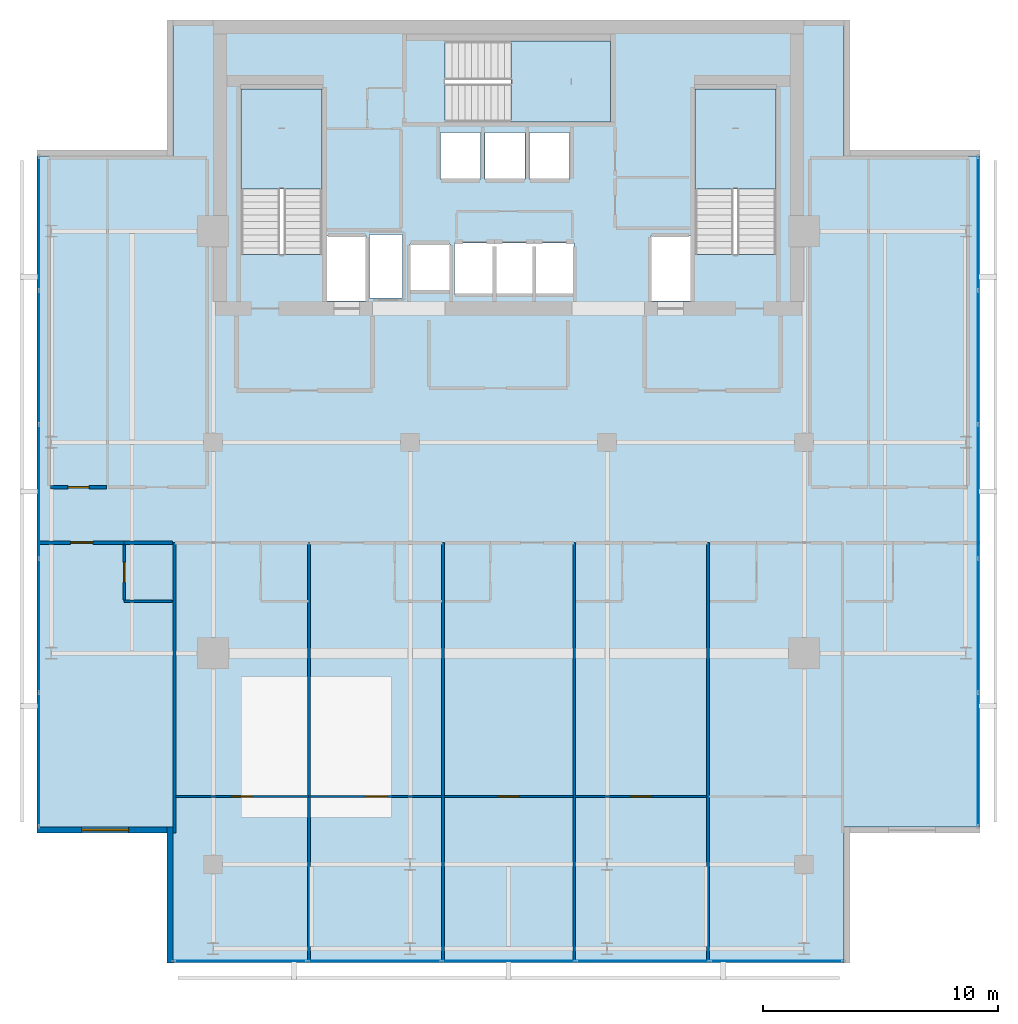
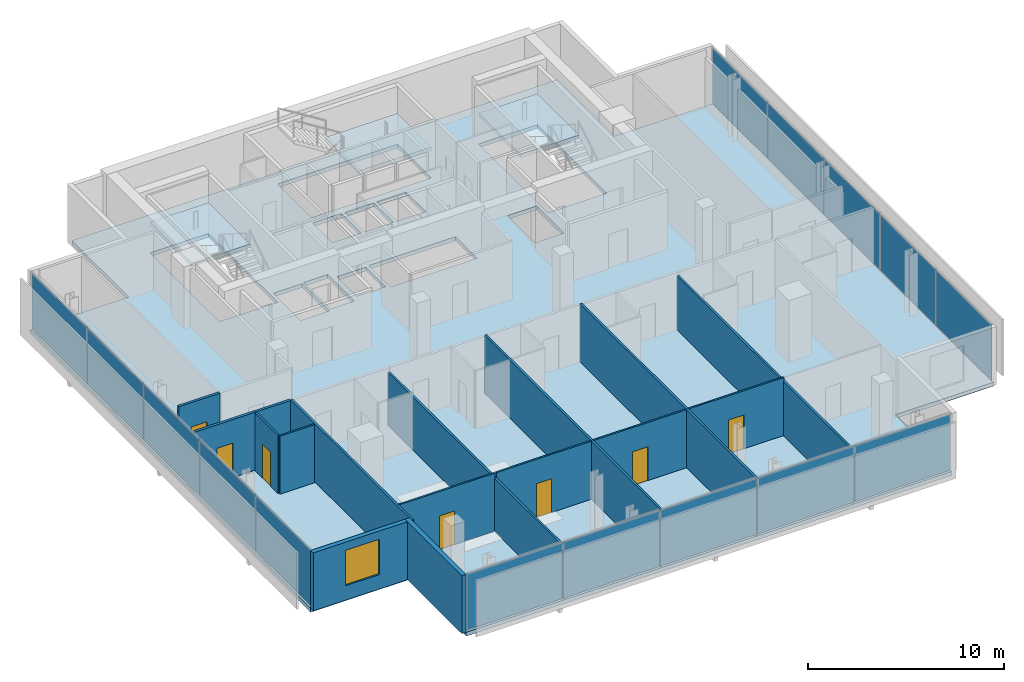
# One storey, part 16 of 24: 16 walls, 15 plates, 7 doors, 4 slabs, 1 window, 8 openings, 6 elements without a shape of their own.
"""IFC4 building model written with IfcOpenShell, lengths in metres."""

from ifc_helpers import new_model, si_unit, direction, frame, frame_2d, origin, origin_2d, place, context, subcontext, project, spatial, polyline, rectangle, outline, extrude, material, layer, layer_set, type_object, element, fill, aggregate, save


model = new_model("IFC4")

# Units and contexts
model_context = context("Model", 3, precision=1e-05, world=origin(), true_north=direction((0.0, 1.0)))
body_context = subcontext(model_context, "Body", "Model", "MODEL_VIEW")
ifc_project = project(units=[si_unit("LENGTHUNIT", "METRE"), si_unit("AREAUNIT", "SQUARE_METRE"), si_unit("VOLUMEUNIT", "CUBIC_METRE"), si_unit("PLANEANGLEUNIT", "RADIAN"), si_unit("MASSUNIT", "GRAM", prefix="KILO")], contexts=[model_context])

# Site, building, storey
site_placement = place(None, origin())
site = spatial("IfcSite", under=ifc_project, at=site_placement, CompositionType="ELEMENT")
building_placement = place(site_placement, origin())
building = spatial("IfcBuilding", under=site, at=building_placement, Name="Maruvema Waterfront Hotel and Observation Tower", CompositionType="ELEMENT")
storey_placement = place(building_placement, frame((0.0, 0.0, 329.699951171875)))
storey = spatial("IfcBuildingStorey", under=building, at=storey_placement, Name="L81", CompositionType="ELEMENT", Elevation=329.699951171875)

# Slab
ifc_material_1 = material(Name="Concrete C50/60", Category="concrete")
ifc_layer_1 = layer(ifc_material_1, 0.239990234375, Name="Reinforced Concrete Floor Slab 240 mm")
ifc_layer_set_1 = layer_set([ifc_layer_1], Name="Concrete C50/60")
slab_type_1 = type_object("IfcSlabType", Name="Reinforced Concrete Floor Slab 240 mm", PredefinedType="FLOOR", material=ifc_layer_set_1)
slab_1_placement = place(storey_placement, frame((0.0, 0.0, -0.239990234375)))
element("IfcSlab", 1, at=slab_1_placement, inside=storey, type_object=slab_type_1, Name="L81 Structural Floor Slab", PredefinedType="FLOOR", context=body_context, shape_type="SweptSolid", body=[
    extrude(outline(polyline([(23.5, 13.800048828125), (52.10009765625, 13.800048828125), (52.10009765625, 19.60009765625), (57.89990234375, 19.60009765625), (57.89990234375, 48.199951171875), (52.10009765625, 48.199951171875), (52.10009765625, 54.0), (23.5, 54.0), (23.5, 48.199951171875), (17.699951171875, 48.199951171875), (17.699951171875, 19.60009765625), (23.5, 19.60009765625), (23.5, 13.800048828125)]), holes=[polyline([(26.39990234375, 44.00048828125), (26.39990234375, 51.050048828125), (29.85009765625, 51.050048828125), (29.85009765625, 44.00048828125), (26.39990234375, 44.00048828125)]), polyline([(30.050048828125, 44.800048828125), (31.75, 44.800048828125), (31.75, 42.02001953125), (30.050048828125, 42.02001953125), (30.050048828125, 44.800048828125)]), polyline([(31.8798828125, 42.139892578125), (31.8798828125, 44.860107421875), (33.280029296875, 44.860107421875), (33.280029296875, 42.139892578125), (31.8798828125, 42.139892578125)]), polyline([(33.60009765625, 44.449951171875), (35.300048828125, 44.449951171875), (35.300048828125, 42.449951171875), (33.60009765625, 42.449951171875), (33.60009765625, 44.449951171875)]), polyline([(34.89990234375, 49.199951171875), (36.60009765625, 49.199951171875), (36.60009765625, 47.199951171875), (34.89990234375, 47.199951171875), (34.89990234375, 49.199951171875)]), polyline([(36.800048828125, 47.199951171875), (36.800048828125, 49.199951171875), (38.5, 49.199951171875), (38.5, 47.199951171875), (36.800048828125, 47.199951171875)]), polyline([(35.5, 42.300048828125), (35.5, 44.5), (40.60009765625, 44.5), (40.60009765625, 42.300048828125), (35.5, 42.300048828125)]), polyline([(35.1005859375, 53.10009765625), (42.14990234375, 53.10009765625), (42.14990234375, 49.64990234375), (35.1005859375, 49.64990234375), (35.1005859375, 53.10009765625)]), polyline([(38.699951171875, 49.199951171875), (40.39990234375, 49.199951171875), (40.39990234375, 47.199951171875), (38.699951171875, 47.199951171875), (38.699951171875, 49.199951171875)]), polyline([(43.85009765625, 44.800048828125), (45.550048828125, 44.800048828125), (45.550048828125, 42.02001953125), (43.85009765625, 42.02001953125), (43.85009765625, 44.800048828125)]), polyline([(45.75, 44.00048828125), (45.75, 51.050048828125), (49.199951171875, 51.050048828125), (49.199951171875, 44.00048828125), (45.75, 44.00048828125)])]), origin(), (0.0, 0.0, 1.0), 0.239990234375),
])

# Curtain wall, plates
ifc_material_2 = material(Name="Anodised bronze aluminium and solar-control low-E IGU", Category="aluminium")
ifc_layer_2 = layer(ifc_material_2, 0.159912109375, Name="Zone 4 Sky Residence Inner Curtain Wall System CW-05")
ifc_layer_set_2 = layer_set([ifc_layer_2], Name="Anodised bronze aluminium and solar-control low-E IGU")
curtain_wall_type = type_object("IfcCurtainWallType", Name="Zone 4 Sky Residence Inner Curtain Wall System CW-05", PredefinedType="USERDEFINED", material=ifc_layer_set_2)
curtain_wall_1_placement = place(storey_placement, origin())
curtain_wall_1 = element("IfcCurtainWall", 2, at=curtain_wall_1_placement, inside=storey, type_object=curtain_wall_type, Name="L81 Curtain Wall CW-L81-S", ObjectType="UNITISED CURTAIN WALL", PredefinedType="USERDEFINED")
ifc_material_3 = material(Name="Laminated low-E solar-control double glazing", Category="glass")
ifc_layer_3 = layer(ifc_material_3, 0.035888671875, Name="Solar Control Double-Glazed Curtain Panel 36 mm")
ifc_layer_set_3 = layer_set([ifc_layer_3], Name="Laminated low-E solar-control double glazing")
plate_type = type_object("IfcPlateType", Name="Solar Control Double-Glazed Curtain Panel 36 mm", PredefinedType="CURTAIN_PANEL", material=ifc_layer_set_3)
plate_1_placement = place(storey_placement, frame((26.375, 13.8798828125, 0.06005859375), z_axis=(0.0, 0.0, 1.0), x_axis=(1.0, 0.0, 0.0)))
plate_1 = element("IfcPlate", 3, at=plate_1_placement, type_object=plate_type, Name="CW-05 panel 1.1", PredefinedType="CURTAIN_PANEL", context=body_context, shape_type="SweptSolid", body=[
    extrude(rectangle(XDim=5.6298828125, YDim=0.028076171875, at=origin_2d()), origin(), (0.0, 0.0, 1.0), 3.489990234375),
])
plate_2_placement = place(storey_placement, frame((32.080078125, 13.8798828125, 0.06005859375), z_axis=(0.0, 0.0, 1.0), x_axis=(1.0, 0.0, 0.0)))
plate_2 = element("IfcPlate", 4, at=plate_2_placement, type_object=plate_type, Name="CW-05 panel 2.1", PredefinedType="CURTAIN_PANEL", context=body_context, shape_type="SweptSolid", body=[
    extrude(rectangle(XDim=5.659912109375, YDim=0.028076171875, at=origin_2d()), origin(), (0.0, 0.0, 1.0), 3.489990234375),
])
plate_3_placement = place(storey_placement, frame((37.800048828125, 13.8798828125, 0.06005859375), z_axis=(0.0, 0.0, 1.0), x_axis=(1.0, 0.0, 0.0)))
plate_3 = element("IfcPlate", 5, at=plate_3_placement, type_object=plate_type, Name="CW-05 panel 3.1", PredefinedType="CURTAIN_PANEL", context=body_context, shape_type="SweptSolid", body=[
    extrude(rectangle(XDim=5.659912109375, YDim=0.028076171875, at=origin_2d()), origin(), (0.0, 0.0, 1.0), 3.489990234375),
])
plate_4_placement = place(storey_placement, frame((43.52001953125, 13.8798828125, 0.06005859375), z_axis=(0.0, 0.0, 1.0), x_axis=(1.0, 0.0, 0.0)))
plate_4 = element("IfcPlate", 6, at=plate_4_placement, type_object=plate_type, Name="CW-05 panel 4.1", PredefinedType="CURTAIN_PANEL", context=body_context, shape_type="SweptSolid", body=[
    extrude(rectangle(XDim=5.659912109375, YDim=0.028076171875, at=origin_2d()), origin(), (0.0, 0.0, 1.0), 3.489990234375),
])
plate_5_placement = place(storey_placement, frame((49.22509765625, 13.8798828125, 0.06005859375), z_axis=(0.0, 0.0, 1.0), x_axis=(1.0, 0.0, 0.0)))
plate_5 = element("IfcPlate", 7, at=plate_5_placement, type_object=plate_type, Name="CW-05 panel 5.1", PredefinedType="CURTAIN_PANEL", context=body_context, shape_type="SweptSolid", body=[
    extrude(rectangle(XDim=5.6298828125, YDim=0.028076171875, at=origin_2d()), origin(), (0.0, 0.0, 1.0), 3.489990234375),
])
aggregate(curtain_wall_1, [plate_1, plate_2, plate_3, plate_4, plate_5])

curtain_wall_2_placement = place(storey_placement, origin())
curtain_wall_2 = element("IfcCurtainWall", 8, at=curtain_wall_2_placement, inside=storey, type_object=curtain_wall_type, Name="L81 Curtain Wall CW-L81-E", ObjectType="UNITISED CURTAIN WALL", PredefinedType="USERDEFINED")
plate_6_placement = place(storey_placement, frame((57.820068359375, 22.47509765625, 0.06005859375), z_axis=(0.0, 0.0, 1.0), x_axis=(0.0, 1.0, 0.0)))
plate_6 = element("IfcPlate", 9, at=plate_6_placement, type_object=plate_type, Name="CW-05 panel 1.1", PredefinedType="CURTAIN_PANEL", context=body_context, shape_type="SweptSolid", body=[
    extrude(rectangle(XDim=5.6298828125, YDim=0.028076171875, at=origin_2d()), origin(), (0.0, 0.0, 1.0), 3.489990234375),
])
plate_7_placement = place(storey_placement, frame((57.820068359375, 28.179931640625, 0.06005859375), z_axis=(0.0, 0.0, 1.0), x_axis=(0.0, 1.0, 0.0)))
plate_7 = element("IfcPlate", 10, at=plate_7_placement, type_object=plate_type, Name="CW-05 panel 2.1", PredefinedType="CURTAIN_PANEL", context=body_context, shape_type="SweptSolid", body=[
    extrude(rectangle(XDim=5.659912109375, YDim=0.028076171875, at=origin_2d()), origin(), (0.0, 0.0, 1.0), 3.489990234375),
])
plate_8_placement = place(storey_placement, frame((57.820068359375, 33.89990234375, 0.06005859375), z_axis=(0.0, 0.0, 1.0), x_axis=(0.0, 1.0, 0.0)))
plate_8 = element("IfcPlate", 11, at=plate_8_placement, type_object=plate_type, Name="CW-05 panel 3.1", PredefinedType="CURTAIN_PANEL", context=body_context, shape_type="SweptSolid", body=[
    extrude(rectangle(XDim=5.659912109375, YDim=0.028076171875, at=origin_2d()), origin(), (0.0, 0.0, 1.0), 3.489990234375),
])
plate_9_placement = place(storey_placement, frame((57.820068359375, 39.6201171875, 0.06005859375), z_axis=(0.0, 0.0, 1.0), x_axis=(0.0, 1.0, 0.0)))
plate_9 = element("IfcPlate", 12, at=plate_9_placement, type_object=plate_type, Name="CW-05 panel 4.1", PredefinedType="CURTAIN_PANEL", context=body_context, shape_type="SweptSolid", body=[
    extrude(rectangle(XDim=5.659912109375, YDim=0.028076171875, at=origin_2d()), origin(), (0.0, 0.0, 1.0), 3.489990234375),
])
plate_10_placement = place(storey_placement, frame((57.820068359375, 45.324951171875, 0.06005859375), z_axis=(0.0, 0.0, 1.0), x_axis=(0.0, 1.0, 0.0)))
plate_10 = element("IfcPlate", 13, at=plate_10_placement, type_object=plate_type, Name="CW-05 panel 5.1", PredefinedType="CURTAIN_PANEL", context=body_context, shape_type="SweptSolid", body=[
    extrude(rectangle(XDim=5.6298828125, YDim=0.028076171875, at=origin_2d()), origin(), (0.0, 0.0, 1.0), 3.489990234375),
])
aggregate(curtain_wall_2, [plate_6, plate_7, plate_8, plate_9, plate_10])

curtain_wall_3_placement = place(storey_placement, origin())
curtain_wall_3 = element("IfcCurtainWall", 14, at=curtain_wall_3_placement, inside=storey, type_object=curtain_wall_type, Name="L81 Curtain Wall CW-L81-W", ObjectType="UNITISED CURTAIN WALL", PredefinedType="USERDEFINED")
plate_11_placement = place(storey_placement, frame((17.780029296875, 45.324951171875, 0.06005859375), z_axis=(0.0, 0.0, 1.0), x_axis=(0.0, -1.0, 0.0)))
plate_11 = element("IfcPlate", 15, at=plate_11_placement, type_object=plate_type, Name="CW-05 panel 1.1", PredefinedType="CURTAIN_PANEL", context=body_context, shape_type="SweptSolid", body=[
    extrude(rectangle(XDim=5.6298828125, YDim=0.028076171875, at=origin_2d()), origin(), (0.0, 0.0, 1.0), 3.489990234375),
])
plate_12_placement = place(storey_placement, frame((17.780029296875, 39.6201171875, 0.06005859375), z_axis=(0.0, 0.0, 1.0), x_axis=(0.0, -1.0, 0.0)))
plate_12 = element("IfcPlate", 16, at=plate_12_placement, type_object=plate_type, Name="CW-05 panel 2.1", PredefinedType="CURTAIN_PANEL", context=body_context, shape_type="SweptSolid", body=[
    extrude(rectangle(XDim=5.659912109375, YDim=0.028076171875, at=origin_2d()), origin(), (0.0, 0.0, 1.0), 3.489990234375),
])
plate_13_placement = place(storey_placement, frame((17.780029296875, 33.89990234375, 0.06005859375), z_axis=(0.0, 0.0, 1.0), x_axis=(0.0, -1.0, 0.0)))
plate_13 = element("IfcPlate", 17, at=plate_13_placement, type_object=plate_type, Name="CW-05 panel 3.1", PredefinedType="CURTAIN_PANEL", context=body_context, shape_type="SweptSolid", body=[
    extrude(rectangle(XDim=5.659912109375, YDim=0.028076171875, at=origin_2d()), origin(), (0.0, 0.0, 1.0), 3.489990234375),
])
plate_14_placement = place(storey_placement, frame((17.780029296875, 28.179931640625, 0.06005859375), z_axis=(0.0, 0.0, 1.0), x_axis=(0.0, -1.0, 0.0)))
plate_14 = element("IfcPlate", 18, at=plate_14_placement, type_object=plate_type, Name="CW-05 panel 4.1", PredefinedType="CURTAIN_PANEL", context=body_context, shape_type="SweptSolid", body=[
    extrude(rectangle(XDim=5.659912109375, YDim=0.028076171875, at=origin_2d()), origin(), (0.0, 0.0, 1.0), 3.489990234375),
])
plate_15_placement = place(storey_placement, frame((17.780029296875, 22.47509765625, 0.06005859375), z_axis=(0.0, 0.0, 1.0), x_axis=(0.0, -1.0, 0.0)))
plate_15 = element("IfcPlate", 19, at=plate_15_placement, type_object=plate_type, Name="CW-05 panel 5.1", PredefinedType="CURTAIN_PANEL", context=body_context, shape_type="SweptSolid", body=[
    extrude(rectangle(XDim=5.6298828125, YDim=0.028076171875, at=origin_2d()), origin(), (0.0, 0.0, 1.0), 3.489990234375),
])
aggregate(curtain_wall_3, [plate_11, plate_12, plate_13, plate_14, plate_15])

# Stair, slab
ifc_material_4 = material(Name="Concrete C50/60", Category="concrete")
stair_type = type_object("IfcStairType", Name="Dogleg Exit Stair 1650 mm (22R x 175.0 mm)", PredefinedType="HALF_TURN_STAIR", material=ifc_material_4)
stair_1_placement = place(storey_placement, origin())
stair_1 = element("IfcStair", 20, at=stair_1_placement, inside=storey, type_object=stair_type, Name="L81 ST-01", PredefinedType="HALF_TURN_STAIR")
ifc_material_5 = material(Name="Concrete C50/60", Category="concrete")
ifc_layer_4 = layer(ifc_material_5, 0.219970703125, Name="Stair Concrete Landing Slab 220 mm")
ifc_layer_set_4 = layer_set([ifc_layer_4], Name="Concrete C50/60")
slab_type_2 = type_object("IfcSlabType", Name="Stair Concrete Landing Slab 220 mm", PredefinedType="LANDING", material=ifc_layer_set_4)
slab_2_placement = place(storey_placement, frame((0.0, 0.0, 1.705078125)))
slab_2 = element("IfcSlab", 21, at=slab_2_placement, type_object=slab_type_2, Name="ST-01 landing 1", PredefinedType="LANDING", context=body_context, shape_type="SweptSolid", body=[
    extrude(outline(polyline([(29.85009765625, 46.800048828125), (29.85009765625, 51.050048828125), (26.39990234375, 51.050048828125), (26.39990234375, 46.800048828125), (29.85009765625, 46.800048828125)])), origin(), (0.0, 0.0, 1.0), 0.219970703125),
])
aggregate(stair_1, [slab_2])

stair_2_placement = place(storey_placement, origin())
stair_2 = element("IfcStair", 22, at=stair_2_placement, inside=storey, type_object=stair_type, Name="L81 ST-02", PredefinedType="HALF_TURN_STAIR")
slab_3_placement = place(storey_placement, frame((0.0, 0.0, 1.705078125)))
slab_3 = element("IfcSlab", 23, at=slab_3_placement, type_object=slab_type_2, Name="ST-02 landing 1", PredefinedType="LANDING", context=body_context, shape_type="SweptSolid", body=[
    extrude(outline(polyline([(37.89990234375, 49.64990234375), (42.14990234375, 49.64990234375), (42.14990234375, 53.10009765625), (37.89990234375, 53.10009765625), (37.89990234375, 49.64990234375)])), origin(), (0.0, 0.0, 1.0), 0.219970703125),
])
aggregate(stair_2, [slab_3])

stair_3_placement = place(storey_placement, origin())
stair_3 = element("IfcStair", 24, at=stair_3_placement, inside=storey, type_object=stair_type, Name="L81 ST-03", PredefinedType="HALF_TURN_STAIR")
slab_4_placement = place(storey_placement, frame((0.0, 0.0, 1.705078125)))
slab_4 = element("IfcSlab", 25, at=slab_4_placement, type_object=slab_type_2, Name="ST-03 landing 1", PredefinedType="LANDING", context=body_context, shape_type="SweptSolid", body=[
    extrude(outline(polyline([(49.199951171875, 46.800048828125), (49.199951171875, 51.050048828125), (45.75, 51.050048828125), (45.75, 46.800048828125), (49.199951171875, 46.800048828125)])), origin(), (0.0, 0.0, 1.0), 0.219970703125),
])
aggregate(stair_3, [slab_4])

# Wall, opening, door
ifc_material_6 = material(Name="Twin-stud acoustic gypsum drywall", Category="gypsum")
ifc_layer_5 = layer(ifc_material_6, 0.14990234375, Name="Acoustic Corridor and Suite Demising Wall 150 mm")
ifc_layer_set_5 = layer_set([ifc_layer_5], Name="Twin-stud acoustic gypsum drywall")
wall_type_1 = type_object("IfcWallType", Name="Acoustic Corridor and Suite Demising Wall 150 mm", PredefinedType="PARTITIONING", material=ifc_layer_set_5)
wall_1_placement = place(storey_placement, frame((18.260009765625, 34.080078125, 0.0), z_axis=(0.0, 0.0, 1.0), x_axis=(1.0, 0.0, 0.0)))
wall_1 = element("IfcWall", 26, at=wall_1_placement, inside=storey, type_object=wall_type_1, Name="L81 L81-Z4W Front 1 028", PredefinedType="PARTITIONING", context=body_context, shape_type="SweptSolid", body=[
    extrude(rectangle(XDim=2.407470703125, YDim=0.14990234375, at=frame_2d((1.20361328125, 0.0))), origin(), (0.0, 0.0, 1.0), 3.610107421875),
])
opening_1_placement = place(wall_1_placement, frame((0.753662109375, 0.0, 0.0)))
opening_1 = element("IfcOpeningElement", 27, at=opening_1_placement, cuts=wall_1, Name="Opening DR-090", PredefinedType="OPENING", context=body_context, shape_type="SweptSolid", body=[
    extrude(rectangle(XDim=0.89990234375, YDim=2.10009765625, at=frame_2d((0.449951171875, 1.050048828125))), frame((0.0, 0.0849609375, 0.0), z_axis=(0.0, -1.0, 0.0), x_axis=(1.0, 0.0, 0.0)), (0.0, 0.0, 1.0), 0.169921875),
])
ifc_material_7 = material(Name="Solid-core lacquered timber leaf", Category="wood")
door_type_1 = type_object("IfcDoorType", Name="Accessible Toilet and Room Door 900x2100 mm", OperationType="NOTDEFINED", PredefinedType="DOOR", material=ifc_material_7)
door_1_placement = place(opening_1_placement, frame((0.89990234375, 0.0, 0.0), z_axis=(0.0, 0.0, 1.0), x_axis=(-1.0, 0.0, 0.0)))
door_1 = element("IfcDoor", 28, at=door_1_placement, inside=storey, type_object=door_type_1, Name="L81 Butler Kitchenette Door", OperationType="SINGLE_SWING_LEFT", OverallHeight=2.10009765625, OverallWidth=0.89990234375, PredefinedType="DOOR", context=body_context, shape_type="SweptSolid", body=[
    extrude(rectangle(XDim=0.89990234375, YDim=2.10009765625, at=frame_2d((0.449951171875, 1.050048828125))), frame((0.0, 0.02490234375, 0.0), z_axis=(0.0, -1.0, 0.0), x_axis=(1.0, 0.0, 0.0)), (0.0, 0.0, 1.0), 0.050048828125),
])
fill(opening_1, door_1)

# Wall
wall_2_placement = place(storey_placement, frame((21.409912109375, 31.719970703125, 0.0), z_axis=(0.0, 0.0, 1.0), x_axis=(1.0, 0.0, 0.0)))
element("IfcWall", 29, at=wall_2_placement, inside=storey, type_object=wall_type_1, Name="L81 Bath L81-SKW Back Wall 068", PredefinedType="PARTITIONING", context=body_context, shape_type="SweptSolid", body=[
    extrude(rectangle(XDim=2.06005859375, YDim=0.14990234375, at=frame_2d((1.030029296875, 0.0))), origin(), (0.0, 0.0, 1.0), 3.610107421875),
])

# Wall, opening, door
wall_3_placement = place(storey_placement, frame((17.7900390625, 31.719970703125, 0.0), z_axis=(0.0, 0.0, 1.0), x_axis=(1.0, 0.0, 0.0)))
wall_3 = element("IfcWall", 30, at=wall_3_placement, inside=storey, type_object=wall_type_1, Name="L81 Unit L81-SKW Corridor Wall 071", PredefinedType="PARTITIONING", context=body_context, shape_type="SweptSolid", body=[
    extrude(rectangle(XDim=3.619873046875, YDim=0.14990234375, at=frame_2d((1.81005859375, 0.0))), origin(), (0.0, 0.0, 1.0), 3.610107421875),
])
opening_2_placement = place(wall_3_placement, frame((1.3349609375, 0.0, 0.0)))
opening_2 = element("IfcOpeningElement", 31, at=opening_2_placement, cuts=wall_3, Name="Opening DR-095", PredefinedType="OPENING", context=body_context, shape_type="SweptSolid", body=[
    extrude(rectangle(XDim=0.949951171875, YDim=2.14990234375, at=frame_2d((0.47509765625, 1.074951171875))), frame((0.0, 0.0849609375, 0.0), z_axis=(0.0, -1.0, 0.0), x_axis=(1.0, 0.0, 0.0)), (0.0, 0.0, 1.0), 0.169921875),
])
ifc_material_8 = material(Name="Acoustic solid-core hardwood timber leaf", Category="wood")
door_type_2 = type_object("IfcDoorType", Name="Guestroom Entrance Fire Door 950x2150 mm", OperationType="NOTDEFINED", PredefinedType="DOOR", material=ifc_material_8)
door_2_placement = place(opening_2_placement, frame((0.949951171875, 0.0, 0.0), z_axis=(0.0, 0.0, 1.0), x_axis=(-1.0, 0.0, 0.0)))
door_2 = element("IfcDoor", 32, at=door_2_placement, inside=storey, type_object=door_type_2, Name="L81 Unit L81-SKW Entrance Door", OperationType="SINGLE_SWING_LEFT", OverallHeight=2.14990234375, OverallWidth=0.949951171875, PredefinedType="DOOR", context=body_context, shape_type="SweptSolid", body=[
    extrude(rectangle(XDim=0.949951171875, YDim=2.14990234375, at=frame_2d((0.47509765625, 1.074951171875))), frame((0.0, 0.02490234375, 0.0), z_axis=(0.0, -1.0, 0.0), x_axis=(1.0, 0.0, 0.0)), (0.0, 0.0, 1.0), 0.050048828125),
])
fill(opening_2, door_2)

ifc_material_9 = material(Name="Moisture-resistant cement-board drywall", Category="gypsum")
ifc_layer_6 = layer(ifc_material_9, 0.10009765625, Name="En-Suite Moisture-Resistant Partition 100 mm")
ifc_layer_set_6 = layer_set([ifc_layer_6], Name="Moisture-resistant cement-board drywall")
wall_type_2 = type_object("IfcWallType", Name="En-Suite Moisture-Resistant Partition 100 mm", PredefinedType="PARTITIONING", material=ifc_layer_set_6)
wall_4_placement = place(storey_placement, frame((23.6025390625, 20.893310546875, 0.0), z_axis=(0.0, 0.0, 1.0), x_axis=(1.0, 0.0, 0.0)))
wall_4 = element("IfcWall", 33, at=wall_4_placement, inside=storey, type_object=wall_type_2, Name="L81 Suite L81-SK1 Split 043", PredefinedType="PARTITIONING", context=body_context, shape_type="SweptSolid", body=[
    extrude(rectangle(XDim=5.657470703125, YDim=0.10009765625, at=frame_2d((2.82861328125, 0.0))), origin(), (0.0, 0.0, 1.0), 3.610107421875),
])
opening_3_placement = place(wall_4_placement, frame((2.37890625, 0.0, 0.0)))
opening_3 = element("IfcOpeningElement", 34, at=opening_3_placement, cuts=wall_4, Name="Opening DR-090", PredefinedType="OPENING", context=body_context, shape_type="SweptSolid", body=[
    extrude(rectangle(XDim=0.89990234375, YDim=2.10009765625, at=frame_2d((0.449951171875, 1.050048828125))), frame((0.0, 0.06005859375, 0.0), z_axis=(0.0, -1.0, 0.0), x_axis=(1.0, 0.0, 0.0)), (0.0, 0.0, 1.0), 0.1201171875),
])
door_3_placement = place(opening_3_placement, frame((0.89990234375, 0.0, 0.0), z_axis=(0.0, 0.0, 1.0), x_axis=(-1.0, 0.0, 0.0)))
door_3 = element("IfcDoor", 35, at=door_3_placement, inside=storey, type_object=door_type_1, Name="L81 Suite L81-SK1 Bedroom Door", OperationType="SINGLE_SWING_LEFT", OverallHeight=2.10009765625, OverallWidth=0.89990234375, PredefinedType="DOOR", context=body_context, shape_type="SweptSolid", body=[
    extrude(rectangle(XDim=0.89990234375, YDim=2.10009765625, at=frame_2d((0.449951171875, 1.050048828125))), frame((0.0, 0.02490234375, 0.0), z_axis=(0.0, -1.0, 0.0), x_axis=(1.0, 0.0, 0.0)), (0.0, 0.0, 1.0), 0.050048828125),
])
fill(opening_3, door_3)

wall_5_placement = place(storey_placement, frame((29.340087890625, 20.893310546875, 0.0), z_axis=(0.0, 0.0, 1.0), x_axis=(1.0, 0.0, 0.0)))
wall_5 = element("IfcWall", 36, at=wall_5_placement, inside=storey, type_object=wall_type_2, Name="L81 Suite L81-SK2 Split 049", PredefinedType="PARTITIONING", context=body_context, shape_type="SweptSolid", body=[
    extrude(rectangle(XDim=5.619873046875, YDim=0.10009765625, at=frame_2d((2.81005859375, 0.0))), origin(), (0.0, 0.0, 1.0), 3.610107421875),
])
opening_4_placement = place(wall_5_placement, frame((2.360107421875, 0.0, 0.0)))
opening_4 = element("IfcOpeningElement", 37, at=opening_4_placement, cuts=wall_5, Name="Opening DR-090", PredefinedType="OPENING", context=body_context, shape_type="SweptSolid", body=[
    extrude(rectangle(XDim=0.89990234375, YDim=2.10009765625, at=frame_2d((0.449951171875, 1.050048828125))), frame((0.0, 0.06005859375, 0.0), z_axis=(0.0, -1.0, 0.0), x_axis=(1.0, 0.0, 0.0)), (0.0, 0.0, 1.0), 0.1201171875),
])
door_4_placement = place(opening_4_placement, frame((0.89990234375, 0.0, 0.0), z_axis=(0.0, 0.0, 1.0), x_axis=(-1.0, 0.0, 0.0)))
door_4 = element("IfcDoor", 38, at=door_4_placement, inside=storey, type_object=door_type_1, Name="L81 Suite L81-SK2 Bedroom Door", OperationType="SINGLE_SWING_RIGHT", OverallHeight=2.10009765625, OverallWidth=0.89990234375, PredefinedType="DOOR", context=body_context, shape_type="SweptSolid", body=[
    extrude(rectangle(XDim=0.89990234375, YDim=2.10009765625, at=frame_2d((0.449951171875, 1.050048828125))), frame((0.0, 0.02490234375, 0.0), z_axis=(0.0, -1.0, 0.0), x_axis=(1.0, 0.0, 0.0)), (0.0, 0.0, 1.0), 0.050048828125),
])
fill(opening_4, door_4)

wall_6_placement = place(storey_placement, frame((35.0400390625, 20.893310546875, 0.0), z_axis=(0.0, 0.0, 1.0), x_axis=(1.0, 0.0, 0.0)))
wall_6 = element("IfcWall", 39, at=wall_6_placement, inside=storey, type_object=wall_type_2, Name="L81 Suite L81-SK3 Split 055", PredefinedType="PARTITIONING", context=body_context, shape_type="SweptSolid", body=[
    extrude(rectangle(XDim=5.52001953125, YDim=0.10009765625, at=frame_2d((2.760009765625, 0.0))), origin(), (0.0, 0.0, 1.0), 3.610107421875),
])
opening_5_placement = place(wall_6_placement, frame((2.31005859375, 0.0, 0.0)))
opening_5 = element("IfcOpeningElement", 40, at=opening_5_placement, cuts=wall_6, Name="Opening DR-090", PredefinedType="OPENING", context=body_context, shape_type="SweptSolid", body=[
    extrude(rectangle(XDim=0.89990234375, YDim=2.10009765625, at=frame_2d((0.449951171875, 1.050048828125))), frame((0.0, 0.06005859375, 0.0), z_axis=(0.0, -1.0, 0.0), x_axis=(1.0, 0.0, 0.0)), (0.0, 0.0, 1.0), 0.1201171875),
])
door_5_placement = place(opening_5_placement, frame((0.89990234375, 0.0, 0.0), z_axis=(0.0, 0.0, 1.0), x_axis=(-1.0, 0.0, 0.0)))
door_5 = element("IfcDoor", 41, at=door_5_placement, inside=storey, type_object=door_type_1, Name="L81 Suite L81-SK3 Bedroom Door", OperationType="SINGLE_SWING_LEFT", OverallHeight=2.10009765625, OverallWidth=0.89990234375, PredefinedType="DOOR", context=body_context, shape_type="SweptSolid", body=[
    extrude(rectangle(XDim=0.89990234375, YDim=2.10009765625, at=frame_2d((0.449951171875, 1.050048828125))), frame((0.0, 0.02490234375, 0.0), z_axis=(0.0, -1.0, 0.0), x_axis=(1.0, 0.0, 0.0)), (0.0, 0.0, 1.0), 0.050048828125),
])
fill(opening_5, door_5)

wall_7_placement = place(storey_placement, frame((40.639892578125, 20.893310546875, 0.0), z_axis=(0.0, 0.0, 1.0), x_axis=(1.0, 0.0, 0.0)))
wall_7 = element("IfcWall", 42, at=wall_7_placement, inside=storey, type_object=wall_type_2, Name="L81 Suite L81-SK4 Split 061", PredefinedType="PARTITIONING", context=body_context, shape_type="SweptSolid", body=[
    extrude(rectangle(XDim=5.6201171875, YDim=0.10009765625, at=frame_2d((2.81005859375, 0.0))), origin(), (0.0, 0.0, 1.0), 3.610107421875),
])
opening_6_placement = place(wall_7_placement, frame((2.360107421875, 0.0, 0.0)))
opening_6 = element("IfcOpeningElement", 43, at=opening_6_placement, cuts=wall_7, Name="Opening DR-090", PredefinedType="OPENING", context=body_context, shape_type="SweptSolid", body=[
    extrude(rectangle(XDim=0.89990234375, YDim=2.10009765625, at=frame_2d((0.449951171875, 1.050048828125))), frame((0.0, 0.06005859375, 0.0), z_axis=(0.0, -1.0, 0.0), x_axis=(1.0, 0.0, 0.0)), (0.0, 0.0, 1.0), 0.1201171875),
])
door_6_placement = place(opening_6_placement, frame((0.89990234375, 0.0, 0.0), z_axis=(0.0, 0.0, 1.0), x_axis=(-1.0, 0.0, 0.0)))
door_6 = element("IfcDoor", 44, at=door_6_placement, inside=storey, type_object=door_type_1, Name="L81 Suite L81-SK4 Bedroom Door", OperationType="SINGLE_SWING_RIGHT", OverallHeight=2.10009765625, OverallWidth=0.89990234375, PredefinedType="DOOR", context=body_context, shape_type="SweptSolid", body=[
    extrude(rectangle(XDim=0.89990234375, YDim=2.10009765625, at=frame_2d((0.449951171875, 1.050048828125))), frame((0.0, 0.02490234375, 0.0), z_axis=(0.0, -1.0, 0.0), x_axis=(1.0, 0.0, 0.0)), (0.0, 0.0, 1.0), 0.050048828125),
])
fill(opening_6, door_6)

# Wall
wall_8_placement = place(storey_placement, frame((21.409912109375, 29.219970703125, 0.0), z_axis=(0.0, 0.0, 1.0), x_axis=(1.0, 0.0, 0.0)))
element("IfcWall", 45, at=wall_8_placement, inside=storey, type_object=wall_type_2, Name="L81 En-Suite L81-SKW South 069", PredefinedType="PARTITIONING", context=body_context, shape_type="SweptSolid", body=[
    extrude(rectangle(XDim=2.0400390625, YDim=0.10009765625, at=frame_2d((1.02001953125, 0.0))), origin(), (0.0, 0.0, 1.0), 3.610107421875),
])

# Wall, opening, door
wall_9_placement = place(storey_placement, frame((21.409912109375, 29.280029296875, 0.0), z_axis=(0.0, 0.0, 1.0), x_axis=(0.0, 1.0, 0.0)))
wall_9 = element("IfcWall", 46, at=wall_9_placement, inside=storey, type_object=wall_type_2, Name="L81 En-Suite L81-SKW West 070", PredefinedType="PARTITIONING", context=body_context, shape_type="SweptSolid", body=[
    extrude(rectangle(XDim=2.340087890625, YDim=0.10009765625, at=frame_2d((1.169921875, 0.0))), origin(), (0.0, 0.0, 1.0), 3.610107421875),
])
opening_7_placement = place(wall_9_placement, frame((0.7451171875, 0.0, 0.0)))
opening_7 = element("IfcOpeningElement", 47, at=opening_7_placement, cuts=wall_9, Name="Opening DR-085", PredefinedType="OPENING", context=body_context, shape_type="SweptSolid", body=[
    extrude(rectangle(XDim=0.85009765625, YDim=2.10009765625, at=frame_2d((0.425048828125, 1.050048828125))), frame((0.0, 0.06005859375, 0.0), z_axis=(0.0, -1.0, 0.0), x_axis=(1.0, 0.0, 0.0)), (0.0, 0.0, 1.0), 0.1201171875),
])
ifc_material_10 = material(Name="Moisture-resistant solid timber leaf", Category="wood")
door_type_3 = type_object("IfcDoorType", Name="En-Suite Bathroom Door 850x2100 mm", OperationType="NOTDEFINED", PredefinedType="DOOR", material=ifc_material_10)
door_7_placement = place(opening_7_placement, origin())
door_7 = element("IfcDoor", 48, at=door_7_placement, inside=storey, type_object=door_type_3, Name="L81 En-Suite L81-SKW Door", OperationType="SINGLE_SWING_RIGHT", OverallHeight=2.10009765625, OverallWidth=0.85009765625, PredefinedType="DOOR", context=body_context, shape_type="SweptSolid", body=[
    extrude(rectangle(XDim=0.85009765625, YDim=2.10009765625, at=frame_2d((0.425048828125, 1.050048828125))), frame((0.0, 0.02490234375, 0.0), z_axis=(0.0, -1.0, 0.0), x_axis=(1.0, 0.0, 0.0)), (0.0, 0.0, 1.0), 0.050048828125),
])
fill(opening_7, door_7)

# Wall
ifc_material_11 = material(Name="Precast concrete C45/55 with honed Pernambuco granite facing", Category="masonry")
ifc_layer_7 = layer(ifc_material_11, 0.260009765625, Name="Exterior Granite Clad Spandrel and Pier Wall 260 mm")
ifc_layer_set_7 = layer_set([ifc_layer_7], Name="Precast concrete C45/55 with honed Pernambuco granite facing")
wall_type_3 = type_object("IfcWallType", Name="Exterior Granite Clad Spandrel and Pier Wall 260 mm", PredefinedType="SOLIDWALL", material=ifc_layer_set_7)
wall_10_placement = place(storey_placement, frame((23.3701171875, 13.800048828125, 0.0), z_axis=(0.0, 0.0, 1.0), x_axis=(0.0, 1.0, 0.0)))
element("IfcWall", 49, at=wall_10_placement, inside=storey, type_object=wall_type_3, Name="L81 Corner Notch Granite Pier Wall SW1", PredefinedType="SOLIDWALL", context=body_context, shape_type="SweptSolid", body=[
    extrude(rectangle(XDim=5.800048828125, YDim=0.260009765625, at=frame_2d((2.89990234375, 0.0))), origin(), (0.0, 0.0, 1.0), 3.610107421875),
])

# Wall, opening, window
wall_11_placement = place(storey_placement, frame((23.5, 19.469970703125, 0.0), z_axis=(0.0, 0.0, 1.0), x_axis=(-1.0, 0.0, 0.0)))
wall_11 = element("IfcWall", 50, at=wall_11_placement, inside=storey, type_object=wall_type_3, Name="L81 Corner Notch Granite Pier Wall SW2", PredefinedType="SOLIDWALL", context=body_context, shape_type="SweptSolid", body=[
    extrude(rectangle(XDim=5.800048828125, YDim=0.260009765625, at=frame_2d((2.89990234375, 0.0))), origin(), (0.0, 0.0, 1.0), 3.610107421875),
])
opening_8_placement = place(wall_11_placement, frame((1.89990234375, 0.0, 0.89990234375)))
opening_8 = element("IfcOpeningElement", 51, at=opening_8_placement, cuts=wall_11, Name="Opening WN-03", PredefinedType="OPENING", context=body_context, shape_type="SweptSolid", body=[
    extrude(rectangle(XDim=2.0, YDim=2.199951171875, at=frame_2d((1.0, 1.10009765625))), frame((0.0, 0.14013671875, 0.0), z_axis=(0.0, -1.0, 0.0), x_axis=(1.0, 0.0, 0.0)), (0.0, 0.0, 1.0), 0.280029296875),
])
ifc_material_12 = material(Name="Anodised bronze aluminium frame with laminated low-E glass", Category="aluminium")
window_type = type_object("IfcWindowType", Name="Sky Suite Panoramic Notch Window 2000x2200 mm", PartitioningType="SINGLE_PANEL", PredefinedType="WINDOW", material=ifc_material_12)
window_placement = place(opening_8_placement, origin())
window = element("IfcWindow", 52, at=window_placement, inside=storey, type_object=window_type, Name="L81 Corner Notch Punched Window SW2", OverallHeight=2.199951171875, OverallWidth=2.0, PartitioningType="SINGLE_PANEL", PredefinedType="WINDOW", context=body_context, shape_type="SweptSolid", body=[
    extrude(rectangle(XDim=2.0, YDim=2.199951171875, at=frame_2d((1.0, 1.10009765625))), frame((0.0, 0.030029296875, 0.0), z_axis=(0.0, -1.0, 0.0), x_axis=(1.0, 0.0, 0.0)), (0.0, 0.0, 1.0), 0.06005859375),
])
fill(opening_8, window)

# Walls
ifc_material_13 = material(Name="Acoustic gypsum plasterboard drywall", Category="gypsum")
ifc_layer_8 = layer(ifc_material_13, 0.125, Name="Guestroom Acoustic Demising Wall 125 mm")
ifc_layer_set_8 = layer_set([ifc_layer_8], Name="Acoustic gypsum plasterboard drywall")
wall_type_4 = type_object("IfcWallType", Name="Guestroom Acoustic Demising Wall 125 mm", PredefinedType="PARTITIONING", material=ifc_layer_set_8)
wall_12_placement = place(storey_placement, frame((23.5625, 19.340087890625, 0.0), z_axis=(0.0, 0.0, 1.0), x_axis=(0.0, 1.0, 0.0)))
element("IfcWall", 53, at=wall_12_placement, inside=storey, type_object=wall_type_4, Name="L81 Z4 S West End 037", PredefinedType="PARTITIONING", context=body_context, shape_type="SweptSolid", body=[
    extrude(rectangle(XDim=12.3798828125, YDim=0.125, at=frame_2d((6.18994140625, 0.0))), origin(), (0.0, 0.0, 1.0), 3.610107421875),
])
wall_13_placement = place(storey_placement, frame((29.300048828125, 13.89990234375, 0.0), z_axis=(0.0, 0.0, 1.0), x_axis=(0.0, 1.0, 0.0)))
element("IfcWall", 54, at=wall_13_placement, inside=storey, type_object=wall_type_4, Name="L81 Z4 S Demising 2 044", PredefinedType="PARTITIONING", context=body_context, shape_type="SweptSolid", body=[
    extrude(rectangle(XDim=17.820068359375, YDim=0.125, at=frame_2d((8.91015625, 0.0))), origin(), (0.0, 0.0, 1.0), 3.300048828125),
])
for number, where, z_axis, x_axis, name in (
    (55, (35.0, 13.89990234375, 0.0), (0.0, 0.0, 1.0), (0.0, 1.0, 0.0), "L81 Z4 S Demising 3 050"),
    (56, (40.60009765625, 13.89990234375, 0.0), (0.0, 0.0, 1.0), (0.0, 1.0, 0.0), "L81 Z4 S Demising 4 056"),
):
    element("IfcWall", number, at=place(storey_placement, frame(where, z_axis=z_axis, x_axis=x_axis)), inside=storey, type_object=wall_type_4, Name=name, PredefinedType="PARTITIONING", context=body_context, shape_type="SweptSolid", body=[
        extrude(rectangle(XDim=17.820068359375, YDim=0.125, at=frame_2d((8.91015625, 0.0))), origin(), (0.0, 0.0, 1.0), 3.610107421875),
    ])
wall_14_placement = place(storey_placement, frame((46.300048828125, 13.89990234375, 0.0), z_axis=(0.0, 0.0, 1.0), x_axis=(0.0, 1.0, 0.0)))
element("IfcWall", 57, at=wall_14_placement, inside=storey, type_object=wall_type_4, Name="L81 Z4 S Demising 5 062", PredefinedType="PARTITIONING", context=body_context, shape_type="SweptSolid", body=[
    extrude(rectangle(XDim=17.820068359375, YDim=0.125, at=frame_2d((8.91015625, 0.0))), origin(), (0.0, 0.0, 1.0), 3.35205078125),
])

save(model, "model.ifc")
